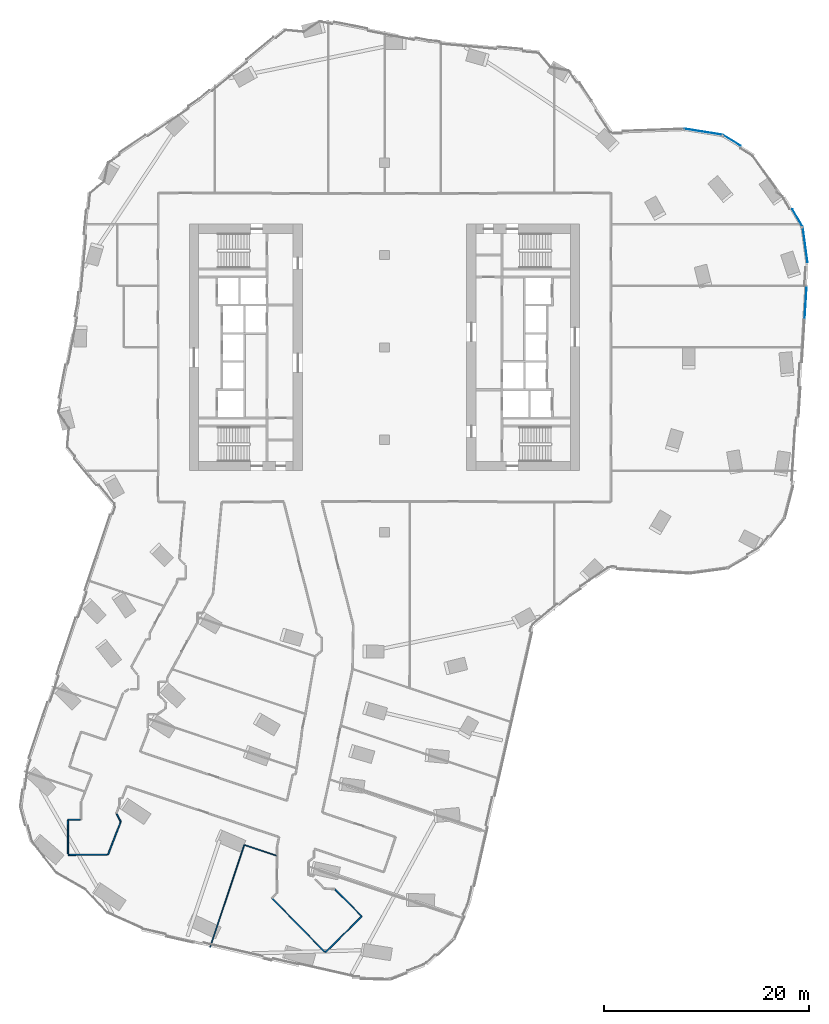
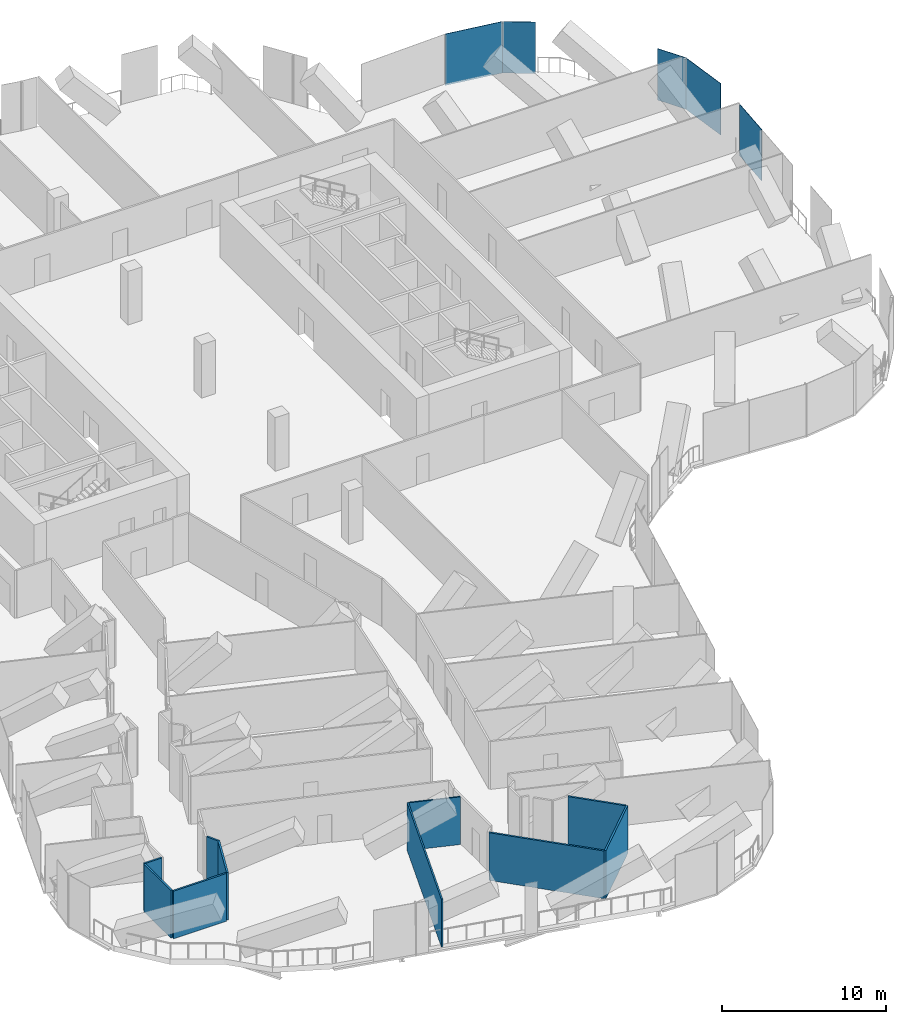
# One storey, part 18 of 28: 10 walls, 5 plates, 5 elements without a shape of their own.
"""IFC4 building model written with IfcOpenShell, lengths in metres."""

from ifc_helpers import new_model, si_unit, direction, frame, frame_2d, origin, origin_2d, place, context, subcontext, project, spatial, rectangle, extrude, material, layer, layer_set, type_object, element, aggregate, save


model = new_model("IFC4")

# Units and contexts
model_context = context("Model", 3, precision=1e-05, world=origin(), true_north=direction((0.0, 1.0)))
body_context = subcontext(model_context, "Body", "Model", "MODEL_VIEW")
ifc_project = project(units=[si_unit("LENGTHUNIT", "METRE"), si_unit("AREAUNIT", "SQUARE_METRE"), si_unit("VOLUMEUNIT", "CUBIC_METRE"), si_unit("PLANEANGLEUNIT", "RADIAN"), si_unit("MASSUNIT", "GRAM", prefix="KILO")], contexts=[model_context])

# Site, building, storey
site_placement = place(None, origin())
site = spatial("IfcSite", under=ifc_project, at=site_placement, CompositionType="ELEMENT")
building_placement = place(site_placement, origin())
building = spatial("IfcBuilding", under=site, at=building_placement, Name="Orlundy Tower", CompositionType="ELEMENT")
storey_placement = place(building_placement, frame((0.0, 0.0, 163.10009765625)))
storey = spatial("IfcBuildingStorey", under=building, at=storey_placement, Name="L42", CompositionType="ELEMENT", Elevation=163.10009765625)

# Curtain wall, plate
ifc_material_1 = material(Name="Aluminium bronze anodised", Category="aluminium")
curtain_wall_type = type_object("IfcCurtainWallType", Name="CW5 wall", PredefinedType="NOTDEFINED", material=ifc_material_1)
curtain_wall_1_placement = place(storey_placement, origin())
curtain_wall_1 = element("IfcCurtainWall", 1, at=curtain_wall_1_placement, inside=storey, type_object=curtain_wall_type, Name="CW5 run 016", PredefinedType="NOTDEFINED")
ifc_material_2 = material(Name="Tinted glass", Category="glass")
ifc_layer_1 = layer(ifc_material_2, 0.031982421875)
ifc_layer_set_1 = layer_set([ifc_layer_1], Name="CW5 glass panel 32")
plate_type_1 = type_object("IfcPlateType", Name="CW5 glass panel 32", PredefinedType="CURTAIN_PANEL", material=ifc_layer_set_1)
plate_1_placement = place(storey_placement, frame((31.10302734375, 21.005859375, -0.26025390625), z_axis=(0.0, 0.0, 1.0), x_axis=(0.987472591866, -0.157790621756, 0.0)))
plate_1 = element("IfcPlate", 2, at=plate_1_placement, type_object=plate_type_1, Name="CW5 panel", PredefinedType="CURTAIN_PANEL", context=body_context, shape_type="SweptSolid", body=[
    extrude(rectangle(XDim=3.737060546875, YDim=0.031982421875, at=origin_2d()), origin(), (0.0, 0.0, 1.0), 3.840087890625),
])
aggregate(curtain_wall_1, [plate_1])

curtain_wall_2_placement = place(storey_placement, origin())
curtain_wall_2 = element("IfcCurtainWall", 3, at=curtain_wall_2_placement, inside=storey, type_object=curtain_wall_type, Name="CW5 run 021", PredefinedType="NOTDEFINED")
plate_2_placement = place(storey_placement, frame((40.24169921875, 12.60205078125, -0.26025390625), z_axis=(0.0, 0.0, 1.0), x_axis=(0.503904569951, -0.863759332443, 0.0)))
plate_2 = element("IfcPlate", 4, at=plate_2_placement, type_object=plate_type_1, Name="CW5 panel", PredefinedType="CURTAIN_PANEL", context=body_context, shape_type="SweptSolid", body=[
    extrude(rectangle(XDim=1.991455078125, YDim=0.031982421875, at=origin_2d()), origin(), (0.0, 0.0, 1.0), 3.840087890625),
])
aggregate(curtain_wall_2, [plate_2])

curtain_wall_3_placement = place(storey_placement, origin())
curtain_wall_3 = element("IfcCurtainWall", 5, at=curtain_wall_3_placement, inside=storey, type_object=curtain_wall_type, Name="CW5 run 022", PredefinedType="NOTDEFINED")
plate_3_placement = place(storey_placement, frame((40.976806640625, 10.024169921875, -0.26025390625), z_axis=(0.0, 0.0, 1.0), x_axis=(0.134619596829, -0.990897352983, 0.0)))
plate_3 = element("IfcPlate", 6, at=plate_3_placement, type_object=plate_type_1, Name="CW5 panel", PredefinedType="CURTAIN_PANEL", context=body_context, shape_type="SweptSolid", body=[
    extrude(rectangle(XDim=3.467529296875, YDim=0.031982421875, at=origin_2d()), origin(), (0.0, 0.0, 1.0), 3.840087890625),
])
aggregate(curtain_wall_3, [plate_3])

curtain_wall_4_placement = place(storey_placement, origin())
curtain_wall_4 = element("IfcCurtainWall", 7, at=curtain_wall_4_placement, inside=storey, type_object=curtain_wall_type, Name="CW5 run 017", PredefinedType="NOTDEFINED")
ifc_material_3 = material(Name="Tinted glass", Category="glass")
ifc_layer_2 = layer(ifc_material_3, 0.031982421875)
ifc_layer_set_2 = layer_set([ifc_layer_2], Name="CW5 vent panel 32")
plate_type_2 = type_object("IfcPlateType", Name="CW5 vent panel 32", PredefinedType="CURTAIN_PANEL", material=ifc_layer_set_2)
plate_4_placement = place(storey_placement, frame((33.8154296875, 20.177490234375, -0.26025390625), z_axis=(0.0, 0.0, 1.0), x_axis=(0.85175093776, -0.523946886645, 0.0)))
plate_4 = element("IfcPlate", 8, at=plate_4_placement, type_object=plate_type_2, Name="CW5 panel", PredefinedType="CURTAIN_PANEL", context=body_context, shape_type="SweptSolid", body=[
    extrude(rectangle(XDim=2.03662109375, YDim=0.031982421875, at=origin_2d()), origin(), (0.0, 0.0, 1.0), 3.840087890625),
])
aggregate(curtain_wall_4, [plate_4])

curtain_wall_5_placement = place(storey_placement, origin())
curtain_wall_5 = element("IfcCurtainWall", 9, at=curtain_wall_5_placement, inside=storey, type_object=curtain_wall_type, Name="CW5 run 023", PredefinedType="NOTDEFINED")
plate_5_placement = place(storey_placement, frame((41.022216796875, 4.29296875, -0.26025390625), z_axis=(0.0, 0.0, 1.0), x_axis=(-0.061047131434, -0.998134884544, 0.0)))
plate_5 = element("IfcPlate", 10, at=plate_5_placement, type_object=plate_type_2, Name="CW5 panel", PredefinedType="CURTAIN_PANEL", context=body_context, shape_type="SweptSolid", body=[
    extrude(rectangle(XDim=3.02880859375, YDim=0.031982421875, at=origin_2d()), origin(), (0.0, 0.0, 1.0), 3.840087890625),
])
aggregate(curtain_wall_5, [plate_5])

# Walls
ifc_material_4 = material(Name="Gypsum board partition")
ifc_layer_3 = layer(ifc_material_4, 0.10009765625)
ifc_layer_set_3 = layer_set([ifc_layer_3], Name="Floor partition 100")
wall_type_1 = type_object("IfcWallType", Name="Floor partition 100", PredefinedType="PARTITIONING", material=ifc_layer_set_3)
wall_1_placement = place(storey_placement, frame((-13.612060546875, -48.486083984375, 0.0), z_axis=(0.0, 0.0, 1.0), x_axis=(0.948319156471, -0.317318101391, 0.0)))
element("IfcWall", 11, at=wall_1_placement, inside=storey, type_object=wall_type_1, Name="wall-int-L42-012", PredefinedType="PARTITIONING", context=body_context, shape_type="SweptSolid", body=[
    extrude(rectangle(XDim=3.2236328125, YDim=0.10009765625, at=frame_2d((1.61181640625, 0.0))), origin(), (0.0, 0.0, 1.0), 3.559814453125),
])
wall_2_placement = place(storey_placement, frame((-16.993896484375, -58.43505859375, 0.0), z_axis=(0.0, 0.0, 1.0), x_axis=(0.317308025423, 0.948322527942, 0.0)))
element("IfcWall", 12, at=wall_2_placement, inside=storey, type_object=wall_type_1, Name="wall-int-L42-075", PredefinedType="PARTITIONING", context=body_context, shape_type="SweptSolid", body=[
    extrude(rectangle(XDim=10.507080078125, YDim=0.10009765625, at=frame_2d((5.25341796875, 0.0))), origin(), (0.0, 0.0, 1.0), 3.559814453125),
])
ifc_material_5 = material(Name="Gypsum board partition, double layer")
ifc_layer_4 = layer(ifc_material_5, 0.125)
ifc_layer_set_4 = layer_set([ifc_layer_4], Name="Floor partition 125")
wall_type_2 = type_object("IfcWallType", Name="Floor partition 125", PredefinedType="PARTITIONING", material=ifc_layer_set_4)
wall_3_placement = place(storey_placement, frame((-30.84912109375, -46.0791015625, 0.0), z_axis=(0.0, 0.0, 1.0), x_axis=(0.005535108565, -0.999984681169, 0.0)))
element("IfcWall", 13, at=wall_3_placement, inside=storey, type_object=wall_type_2, Name="wall-int-L42-001", PredefinedType="PARTITIONING", context=body_context, shape_type="SweptSolid", body=[
    extrude(rectangle(XDim=3.263916015625, YDim=0.125, at=frame_2d((1.6318359375, 0.0))), origin(), (0.0, 0.0, 1.0), 3.559814453125),
])
wall_4_placement = place(storey_placement, frame((-10.931884765625, -53.68994140625, 0.0), z_axis=(0.0, 0.0, 1.0), x_axis=(0.700343889426, -0.713805601368, 0.0)))
element("IfcWall", 14, at=wall_4_placement, inside=storey, type_object=wall_type_2, Name="wall-int-L42-005", PredefinedType="PARTITIONING", context=body_context, shape_type="SweptSolid", body=[
    extrude(rectangle(XDim=7.29052734375, YDim=0.125, at=frame_2d((3.645263671875, 0.0))), origin(), (0.0, 0.0, 1.0), 3.559814453125),
])
wall_5_placement = place(storey_placement, frame((-4.830078125, -52.76806640625, 0.0), z_axis=(0.0, 0.0, 1.0), x_axis=(0.700567944342, -0.713585702884, 0.0)))
element("IfcWall", 15, at=wall_5_placement, inside=storey, type_object=wall_type_2, Name="wall-int-L42-007", PredefinedType="PARTITIONING", context=body_context, shape_type="SweptSolid", body=[
    extrude(rectangle(XDim=3.67578125, YDim=0.125, at=frame_2d((1.837890625, 0.0))), origin(), (0.0, 0.0, 1.0), 3.559814453125),
])
wall_6_placement = place(storey_placement, frame((-26.083984375, -45.444091796875, 0.0), z_axis=(0.0, 0.0, 1.0), x_axis=(0.452330198843, -0.891850543093, 0.0)))
element("IfcWall", 16, at=wall_6_placement, inside=storey, type_object=wall_type_2, Name="wall-int-L42-010", PredefinedType="PARTITIONING", context=body_context, shape_type="SweptSolid", body=[
    extrude(rectangle(XDim=0.857666015625, YDim=0.125, at=frame_2d((0.4287109375, 0.0))), origin(), (0.0, 0.0, 1.0), 3.559814453125),
])
wall_7_placement = place(storey_placement, frame((-30.84912109375, -46.01611328125, 0.0), z_axis=(0.0, 0.0, 1.0), x_axis=(1.0, 0.0, 0.0)))
element("IfcWall", 17, at=wall_7_placement, inside=storey, type_object=wall_type_2, Name="wall-int-L42-031", PredefinedType="PARTITIONING", context=body_context, shape_type="SweptSolid", body=[
    extrude(rectangle(XDim=1.22412109375, YDim=0.125, at=frame_2d((0.612060546875, 0.0))), origin(), (0.0, 0.0, 1.0), 3.559814453125),
])
wall_8_placement = place(storey_placement, frame((-30.79296875, -49.43896484375, 0.0), z_axis=(0.0, 0.0, 1.0), x_axis=(0.999984458017, 0.005575278016, 0.0)))
element("IfcWall", 18, at=wall_8_placement, inside=storey, type_object=wall_type_2, Name="wall-int-L42-057", PredefinedType="PARTITIONING", context=body_context, shape_type="SweptSolid", body=[
    extrude(rectangle(XDim=3.765869140625, YDim=0.125, at=frame_2d((1.8828125, 0.0))), origin(), (0.0, 0.0, 1.0), 3.559814453125),
])
wall_9_placement = place(storey_placement, frame((-5.780029296875, -58.93896484375, 0.0), z_axis=(0.0, 0.0, 1.0), x_axis=(0.713690867746, 0.70046080925, 0.0)))
element("IfcWall", 19, at=wall_9_placement, inside=storey, type_object=wall_type_2, Name="wall-int-L42-060", PredefinedType="PARTITIONING", context=body_context, shape_type="SweptSolid", body=[
    extrude(rectangle(XDim=5.0009765625, YDim=0.125, at=frame_2d((2.50048828125, 0.0))), origin(), (0.0, 0.0, 1.0), 3.559814453125),
])
wall_10_placement = place(storey_placement, frame((-26.93408203125, -49.4169921875, 0.0), z_axis=(0.0, 0.0, 1.0), x_axis=(0.360039818121, 0.932936937508, 0.0)))
element("IfcWall", 20, at=wall_10_placement, inside=storey, type_object=wall_type_2, Name="wall-int-L42-068", PredefinedType="PARTITIONING", context=body_context, shape_type="SweptSolid", body=[
    extrude(rectangle(XDim=3.438720703125, YDim=0.125, at=frame_2d((1.71923828125, 0.0))), origin(), (0.0, 0.0, 1.0), 3.559814453125),
])

save(model, "model.ifc")
